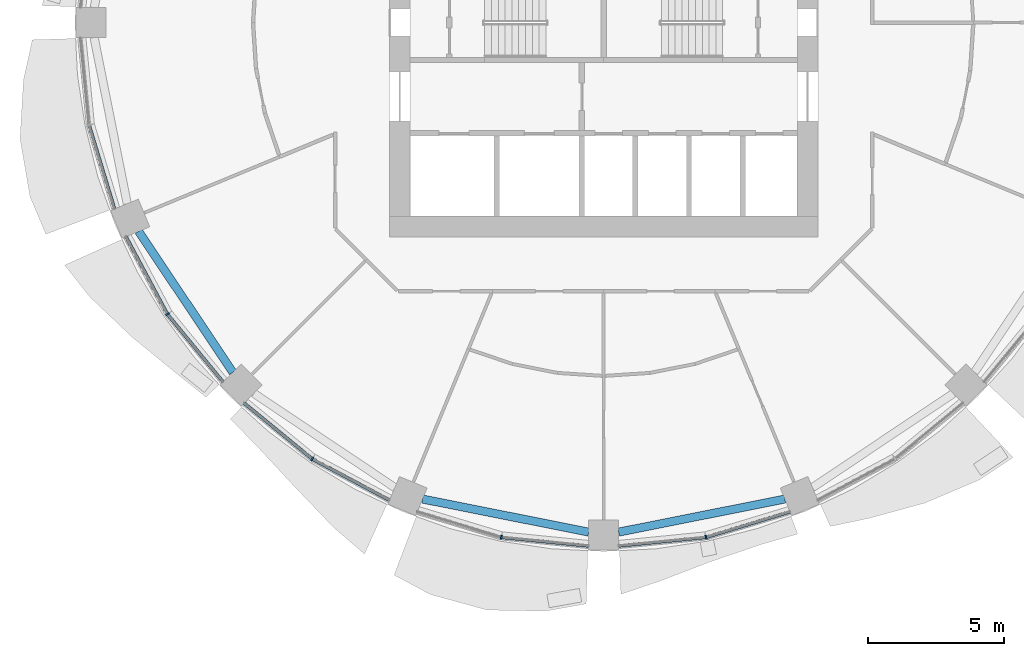
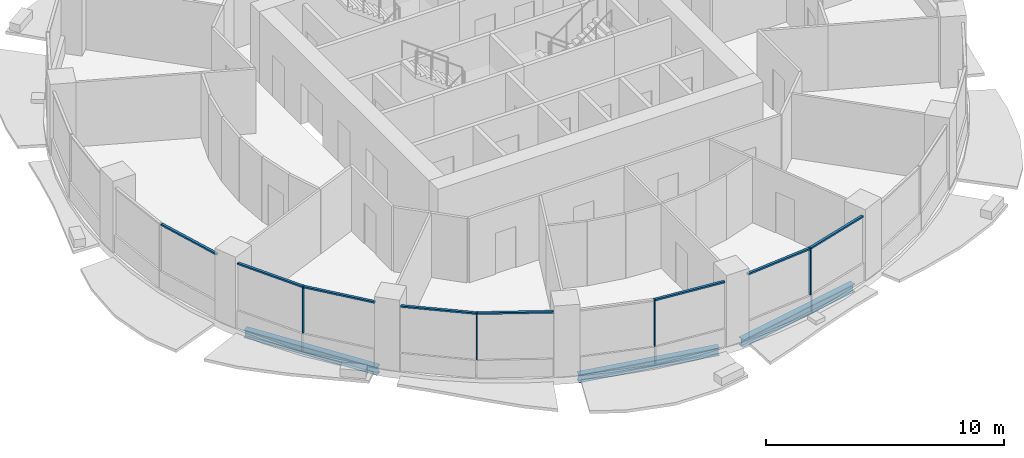
# One storey, part 2 of 15: 12 members, 3 beams, 5 elements without a shape of their own.
"""IFC4 building model written with IfcOpenShell, lengths in metres."""

from ifc_helpers import new_model, si_unit, direction, frame, origin, origin_2d, place, context, subcontext, project, spatial, rectangle, i_section, extrude, material, material_profile, profile_set, type_object, element, aggregate, save


model = new_model("IFC4")

# Units and contexts
model_context = context("Model", 3, precision=1e-05, world=origin(), true_north=direction((0.0, 1.0)))
body_context = subcontext(model_context, "Body", "Model", "MODEL_VIEW")
ifc_project = project(units=[si_unit("LENGTHUNIT", "METRE"), si_unit("AREAUNIT", "SQUARE_METRE"), si_unit("VOLUMEUNIT", "CUBIC_METRE"), si_unit("PLANEANGLEUNIT", "RADIAN"), si_unit("MASSUNIT", "GRAM", prefix="KILO")], contexts=[model_context])

# Site, building, storey
site_placement = place(None, origin())
site = spatial("IfcSite", under=ifc_project, at=site_placement, CompositionType="ELEMENT")
building_placement = place(site_placement, origin())
building = spatial("IfcBuilding", under=site, at=building_placement, Name="Polderwave Tower", CompositionType="ELEMENT")
storey_placement = place(building_placement, frame((0.0, 0.0, 76.39990234375)))
storey = spatial("IfcBuildingStorey", under=building, at=storey_placement, Name="L19", CompositionType="ELEMENT", Elevation=76.39990234375)

# Curtain wall, member
ifc_material_1 = material(Name="Aluminium 6063-T6 and glass", Category="aluminium")
curtain_wall_type = type_object("IfcCurtainWallType", Name="Growing floor ribbon glazing wall", PredefinedType="NOTDEFINED", material=ifc_material_1)
curtain_wall_1_placement = place(storey_placement, origin())
curtain_wall_1 = element("IfcCurtainWall", 1, at=curtain_wall_1_placement, inside=storey, type_object=curtain_wall_type, Name="CW2 L19 09", PredefinedType="NOTDEFINED")
ifc_material_2 = material(Name="Aluminium 6063-T6", Category="aluminium")
ifc_material_profile_1 = material_profile(ifc_material_2, rectangle(XDim=0.14990234375, YDim=0.06005859375, at=origin_2d()), Name="AL 60x150")
ifc_profile_set_1 = profile_set([ifc_material_profile_1], Name="Aluminium 6063-T6")
member_type_1 = type_object("IfcMemberType", Name="Growing floor ribbon glazing mullion 60x150", PredefinedType="MULLION", material=ifc_profile_set_1)
member_1_placement = place(storey_placement, frame((-16.0390625, -10.717041015625, 0.900146484375), z_axis=(0.0, 0.0, 1.0), x_axis=(0.831519061311, 0.555496220219, 0.0)))
member_1 = element("IfcMember", 2, at=member_1_placement, type_object=member_type_1, Name="CW2 mullion 1", PredefinedType="MULLION", context=body_context, shape_type="SweptSolid", body=[
    extrude(rectangle(XDim=0.14990234375, YDim=0.06005859375, at=origin_2d()), origin(), (0.0, 0.0, 1.0), 2.39990234375),
])

curtain_wall_2_placement = place(storey_placement, origin())
curtain_wall_2 = element("IfcCurtainWall", 3, at=curtain_wall_2_placement, inside=storey, type_object=curtain_wall_type, Name="CW2 L19 10", PredefinedType="NOTDEFINED")
member_2_placement = place(storey_placement, frame((-10.717041015625, -16.0390625, 0.900146484375), z_axis=(0.0, 0.0, 1.0), x_axis=(0.555496220219, 0.831519061311, 0.0)))
member_2 = element("IfcMember", 4, at=member_2_placement, type_object=member_type_1, Name="CW2 mullion 1", PredefinedType="MULLION", context=body_context, shape_type="SweptSolid", body=[
    extrude(rectangle(XDim=0.14990234375, YDim=0.06005859375, at=origin_2d()), origin(), (0.0, 0.0, 1.0), 2.39990234375),
])

curtain_wall_3_placement = place(storey_placement, origin())
curtain_wall_3 = element("IfcCurtainWall", 5, at=curtain_wall_3_placement, inside=storey, type_object=curtain_wall_type, Name="CW2 L19 11", PredefinedType="NOTDEFINED")
member_3_placement = place(storey_placement, frame((-3.762939453125, -18.9189453125, 0.900146484375), z_axis=(0.0, 0.0, 1.0), x_axis=(0.19512284598, 0.980778810424, 0.0)))
member_3 = element("IfcMember", 6, at=member_3_placement, type_object=member_type_1, Name="CW2 mullion 1", PredefinedType="MULLION", context=body_context, shape_type="SweptSolid", body=[
    extrude(rectangle(XDim=0.14990234375, YDim=0.06005859375, at=origin_2d()), origin(), (0.0, 0.0, 1.0), 2.39990234375),
])

curtain_wall_4_placement = place(storey_placement, origin())
curtain_wall_4 = element("IfcCurtainWall", 7, at=curtain_wall_4_placement, inside=storey, type_object=curtain_wall_type, Name="CW2 L19 12", PredefinedType="NOTDEFINED")
member_4_placement = place(storey_placement, frame((3.762939453125, -18.9189453125, 0.900146484375), z_axis=(0.0, 0.0, 1.0), x_axis=(-0.19512284598, 0.980778810424, 0.0)))
member_4 = element("IfcMember", 8, at=member_4_placement, type_object=member_type_1, Name="CW2 mullion 1", PredefinedType="MULLION", context=body_context, shape_type="SweptSolid", body=[
    extrude(rectangle(XDim=0.14990234375, YDim=0.06005859375, at=origin_2d()), origin(), (0.0, 0.0, 1.0), 2.39990234375),
])

curtain_wall_5_placement = place(storey_placement, origin())
curtain_wall_5 = element("IfcCurtainWall", 9, at=curtain_wall_5_placement, inside=storey, type_object=curtain_wall_type, Name="CW2 L19 08", PredefinedType="NOTDEFINED")
ifc_material_profile_2 = material_profile(ifc_material_2, rectangle(XDim=0.1201171875, YDim=0.080078125, at=origin_2d()), Name="AL 80x120")
ifc_profile_set_2 = profile_set([ifc_material_profile_2], Name="Aluminium 6063-T6")
member_type_2 = type_object("IfcMemberType", Name="Growing floor ribbon glazing transom 80x120", PredefinedType="USERDEFINED", material=ifc_profile_set_2)
member_5_placement = place(storey_placement, frame((-18.910400390625, -3.791748046875, 3.260009765625), z_axis=(0.290238267171, -0.956954412848, 0.0), x_axis=(0.956954412848, 0.290238267171, 0.0)))
member_5 = element("IfcMember", 10, at=member_5_placement, type_object=member_type_2, Name="CW2 transom 2", ObjectType="TRANSOM", PredefinedType="USERDEFINED", context=body_context, shape_type="SweptSolid", body=[
    extrude(rectangle(XDim=0.1201171875, YDim=0.080078125, at=origin_2d()), origin(), (0.0, 0.0, 1.0), 3.198974609375),
])
aggregate(curtain_wall_5, [member_5])

# Member
member_6_placement = place(storey_placement, frame((-17.56103515625, -7.868896484375, 3.260009765625), z_axis=(0.471376247819, -0.881932215645, 0.0), x_axis=(0.881932215645, 0.471376247819, 0.0)))
member_6 = element("IfcMember", 11, at=member_6_placement, type_object=member_type_2, Name="CW2 transom 1", ObjectType="TRANSOM", PredefinedType="USERDEFINED", context=body_context, shape_type="SweptSolid", body=[
    extrude(rectangle(XDim=0.1201171875, YDim=0.080078125, at=origin_2d()), origin(), (0.0, 0.0, 1.0), 3.19921875),
])

member_7_placement = place(storey_placement, frame((-16.02001953125, -10.740234375, 3.260009765625), z_axis=(0.634355209348, -0.773041698987, 0.0), x_axis=(0.773041698987, 0.634355209348, 0.0)))
member_7 = element("IfcMember", 12, at=member_7_placement, type_object=member_type_2, Name="CW2 transom 2", ObjectType="TRANSOM", PredefinedType="USERDEFINED", context=body_context, shape_type="SweptSolid", body=[
    extrude(rectangle(XDim=0.1201171875, YDim=0.080078125, at=origin_2d()), origin(), (0.0, 0.0, 1.0), 3.198486328125),
])

aggregate(curtain_wall_1, [member_1, member_6, member_7])

member_8_placement = place(storey_placement, frame((-13.212890625, -13.990966796875, 3.260009765625), z_axis=(0.773041698987, -0.634355209348, 0.0), x_axis=(0.634355209348, 0.773041698987, 0.0)))
member_8 = element("IfcMember", 13, at=member_8_placement, type_object=member_type_2, Name="CW2 transom 1", ObjectType="TRANSOM", PredefinedType="USERDEFINED", context=body_context, shape_type="SweptSolid", body=[
    extrude(rectangle(XDim=0.1201171875, YDim=0.080078125, at=origin_2d()), origin(), (0.0, 0.0, 1.0), 3.198486328125),
])

member_9_placement = place(storey_placement, frame((-10.6904296875, -16.052978515625, 3.260009765625), z_axis=(0.881932215645, -0.471376247819, 0.0), x_axis=(0.471376247819, 0.881932215645, 0.0)))
member_9 = element("IfcMember", 14, at=member_9_placement, type_object=member_type_2, Name="CW2 transom 2", ObjectType="TRANSOM", PredefinedType="USERDEFINED", context=body_context, shape_type="SweptSolid", body=[
    extrude(rectangle(XDim=0.1201171875, YDim=0.080078125, at=origin_2d()), origin(), (0.0, 0.0, 1.0), 3.19921875),
])

aggregate(curtain_wall_2, [member_2, member_8, member_9])

member_10_placement = place(storey_placement, frame((-3.733154296875, -18.921875, 3.260009765625), z_axis=(0.995163341514, -0.098234025198, 0.0), x_axis=(0.098234025198, 0.995163341514, 0.0)))
member_10 = element("IfcMember", 15, at=member_10_placement, type_object=member_type_2, Name="CW2 transom 2", ObjectType="TRANSOM", PredefinedType="USERDEFINED", context=body_context, shape_type="SweptSolid", body=[
    extrude(rectangle(XDim=0.1201171875, YDim=0.080078125, at=origin_2d()), origin(), (0.0, 0.0, 1.0), 3.198486328125),
])

aggregate(curtain_wall_3, [member_3, member_10])

member_11_placement = place(storey_placement, frame((0.550048828125, -19.236083984375, 3.260009765625), z_axis=(0.995163341514, 0.098234025198, 0.0), x_axis=(-0.098234025198, 0.995163341514, 0.0)))
member_11 = element("IfcMember", 16, at=member_11_placement, type_object=member_type_2, Name="CW2 transom 1", ObjectType="TRANSOM", PredefinedType="USERDEFINED", context=body_context, shape_type="SweptSolid", body=[
    extrude(rectangle(XDim=0.1201171875, YDim=0.080078125, at=origin_2d()), origin(), (0.0, 0.0, 1.0), 3.198486328125),
])

member_12_placement = place(storey_placement, frame((3.791748046875, -18.910400390625, 3.260009765625), z_axis=(0.956954412848, 0.290238267171, 0.0), x_axis=(-0.290238267171, 0.956954412848, 0.0)))
member_12 = element("IfcMember", 17, at=member_12_placement, type_object=member_type_2, Name="CW2 transom 2", ObjectType="TRANSOM", PredefinedType="USERDEFINED", context=body_context, shape_type="SweptSolid", body=[
    extrude(rectangle(XDim=0.1201171875, YDim=0.080078125, at=origin_2d()), origin(), (0.0, 0.0, 1.0), 3.198974609375),
])

aggregate(curtain_wall_4, [member_4, member_11, member_12])

# Beams
ifc_material_3 = material(Name="Steel S355", Category="steel")
ifc_material_profile_3 = material_profile(ifc_material_3, i_section(OverallWidth=0.300048828125, OverallDepth=0.39990234375, WebThickness=0.013427734375, FlangeThickness=0.02392578125, at=origin_2d()), Name="HE 400 B")
ifc_profile_set_3 = profile_set([ifc_material_profile_3], Name="Steel S355")
beam_type = type_object("IfcBeamType", Name="RING BEAM HE 400 B", PredefinedType="BEAM", material=ifc_profile_set_3)
beam_placement = place(storey_placement, frame((-17.09423828125, -7.676025390625, -0.5498046875), z_axis=(0.555541024975, -0.831489127752, 0.0), x_axis=(0.831489127752, 0.555541024975, 0.0)))
element("IfcBeam", 18, at=beam_placement, inside=storey, type_object=beam_type, Name="ST-RB-L19-09", PredefinedType="BEAM", context=body_context, shape_type="SweptSolid", body=[
    extrude(i_section(OverallWidth=0.300048828125, OverallDepth=0.39990234375, WebThickness=0.013427734375, FlangeThickness=0.02392578125, at=origin_2d()), origin(), (0.0, 0.0, 1.0), 6.2294921875),
])
for number, where, z_axis, x_axis, name in (
    (19, (-6.65966796875, -17.515380859375, -0.5498046875), (0.980783645519, -0.195098540955, 0.0), (0.195098540955, 0.980783645519, 0.0), "ST-RB-L19-11"),
    (20, (0.550048828125, -18.730712890625, -0.5498046875), (0.980783645519, 0.195098540955, 0.0), (-0.195098540955, 0.980783645519, 0.0), "ST-RB-L19-12"),
):
    element("IfcBeam", number, at=place(storey_placement, frame(where, z_axis=z_axis, x_axis=x_axis)), inside=storey, type_object=beam_type, Name=name, PredefinedType="BEAM", context=body_context, shape_type="SweptSolid", body=[
        extrude(i_section(OverallWidth=0.300048828125, OverallDepth=0.39990234375, WebThickness=0.013427734375, FlangeThickness=0.02392578125, at=origin_2d()), origin(), (0.0, 0.0, 1.0), 6.229248046875),
    ])

save(model, "model.ifc")
